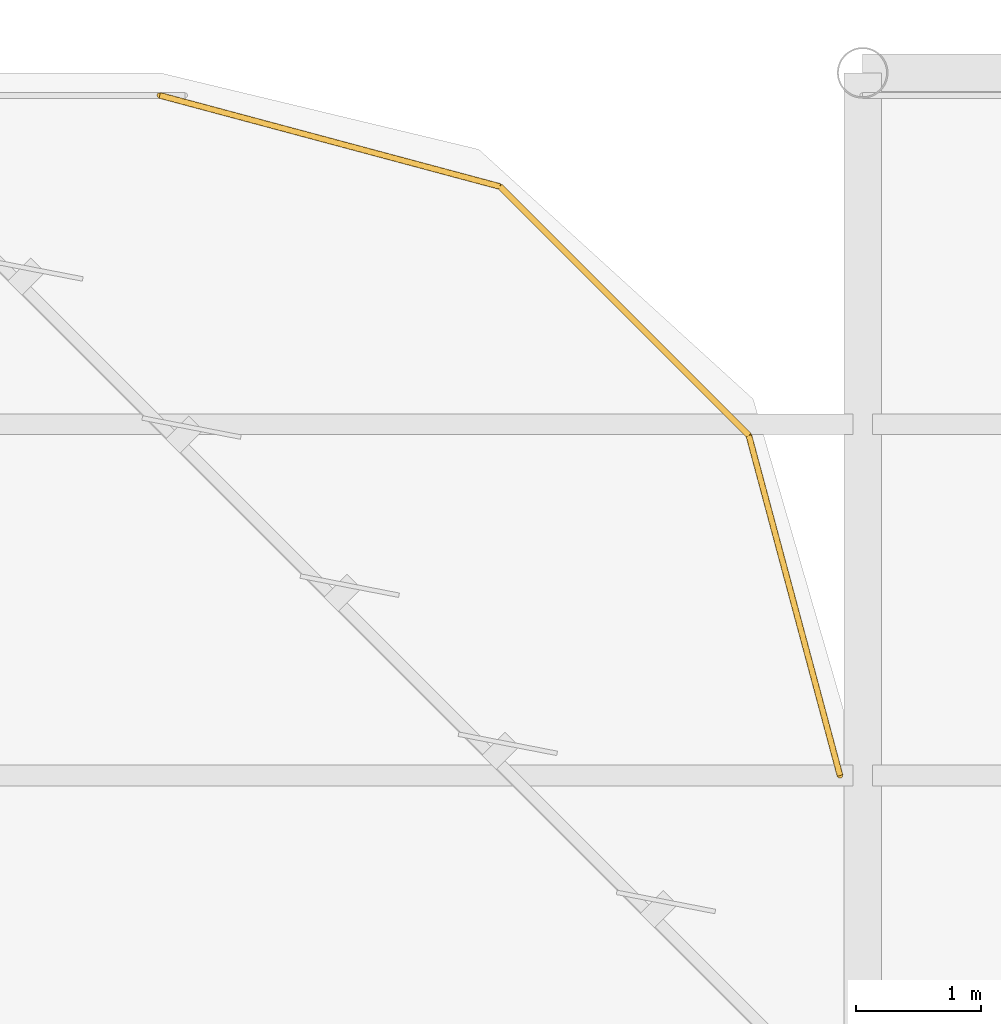
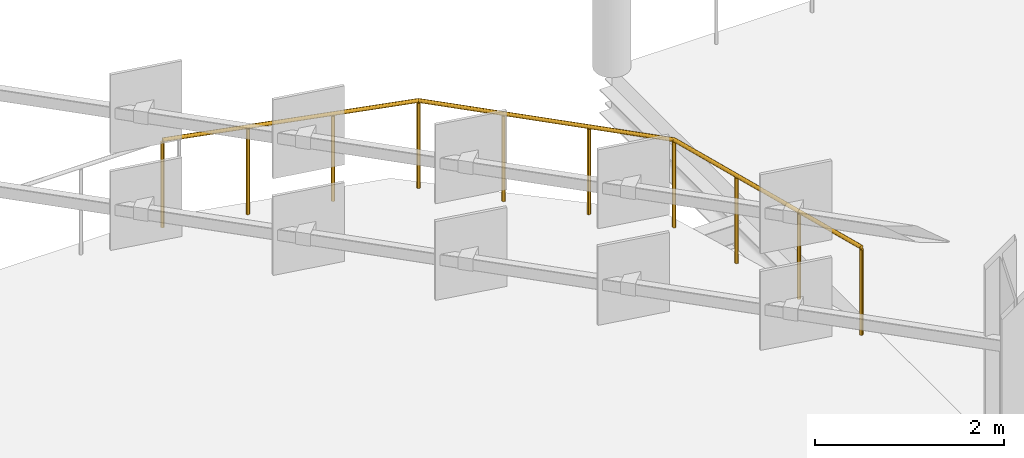
# One storey, part 163 of 163: 1 railing.
"""IFC4 building model written with IfcOpenShell, lengths in metres."""

from ifc_helpers import new_model, si_unit, direction, frame, origin, origin_2d, place, context, subcontext, project, spatial, circle, extrude, material, type_object, element, save


model = new_model("IFC4")

# Units and contexts
model_context = context("Model", 3, precision=1e-05, world=origin(), true_north=direction((0.0, 1.0)))
body_context = subcontext(model_context, "Body", "Model", "MODEL_VIEW")
ifc_project = project(units=[si_unit("LENGTHUNIT", "METRE"), si_unit("AREAUNIT", "SQUARE_METRE"), si_unit("VOLUMEUNIT", "CUBIC_METRE"), si_unit("PLANEANGLEUNIT", "RADIAN"), si_unit("MASSUNIT", "GRAM", prefix="KILO")], contexts=[model_context])

# Site, building, storey
site_placement = place(None, origin())
site = spatial("IfcSite", under=ifc_project, at=site_placement, CompositionType="ELEMENT")
building_placement = place(site_placement, origin())
building = spatial("IfcBuilding", under=site, at=building_placement, Name="Qalvenar Corner Mobility Hub", CompositionType="ELEMENT")
storey_placement = place(building_placement, frame((0.0, 0.0, 4.800048828125)))
storey = spatial("IfcBuildingStorey", under=building, at=storey_placement, Name="L01", CompositionType="ELEMENT", Elevation=4.800048828125)

# Railing
ifc_material = material(Name="Galvanised Steel Deck Edge Barrier", Category="steel")
railing_type = type_object("IfcRailingType", Name="RL-GUARD-115", PredefinedType="GUARDRAIL", material=ifc_material)
railing_placement = place(storey_placement, frame((142.6201171875, 112.0, 0.0)))
element("IfcRailing", 1, at=railing_placement, inside=storey, type_object=railing_type, Name="Rounded Corner Barrier L01-NE", PredefinedType="GUARDRAIL", context=body_context, shape_type="SweptSolid", body=[
    extrude(circle(Radius=0.02392578125, at=origin_2d()), frame((0.0, 0.0, 1.1259765625), z_axis=(-0.25888107057, 0.965909204481, 0.0), x_axis=(-0.965909204481, -0.25888107057, 0.0)), (0.0, 0.0, 1.0), 2.8056640625),
    extrude(circle(Radius=0.02392578125, at=origin_2d()), frame((-0.726318359375, 2.7099609375, 1.1259765625), z_axis=(-0.707106781187, 0.707106781187, 0.0), x_axis=(-0.707106781187, -0.707106781187, 0.0)), (0.0, 0.0, 1.0), 2.8056640625),
    extrude(circle(Radius=0.02392578125, at=origin_2d()), frame((-2.710205078125, 4.69384765625, 1.1259765625), z_axis=(-0.965930961109, 0.258799880931, 0.0), x_axis=(-0.258799880931, -0.965930961109, 0.0)), (0.0, 0.0, 1.0), 2.8056640625),
    extrude(circle(Radius=0.02099609375, at=origin_2d()), origin(), (0.0, 0.0, 1.0), 1.101806640625),
    extrude(circle(Radius=0.02099609375, at=origin_2d()), frame((-0.2421875, 0.9033203125, 0.0)), (0.0, 0.0, 1.0), 1.101806640625),
    extrude(circle(Radius=0.02099609375, at=origin_2d()), frame((-0.484130859375, 1.806640625, 0.0)), (0.0, 0.0, 1.0), 1.101806640625),
    extrude(circle(Radius=0.02099609375, at=origin_2d()), frame((-0.726318359375, 2.7099609375, 0.0)), (0.0, 0.0, 1.0), 1.101806640625),
    extrude(circle(Radius=0.02099609375, at=origin_2d()), frame((-1.3876953125, 3.371337890625, 0.0)), (0.0, 0.0, 1.0), 1.101806640625),
    extrude(circle(Radius=0.02099609375, at=origin_2d()), frame((-2.048828125, 4.032470703125, 0.0)), (0.0, 0.0, 1.0), 1.101806640625),
    extrude(circle(Radius=0.02099609375, at=origin_2d()), frame((-2.710205078125, 4.69384765625, 0.0)), (0.0, 0.0, 1.0), 1.101806640625),
    extrude(circle(Radius=0.02099609375, at=origin_2d()), frame((-3.613525390625, 4.935791015625, 0.0)), (0.0, 0.0, 1.0), 1.101806640625),
    extrude(circle(Radius=0.02099609375, at=origin_2d()), frame((-4.516845703125, 5.177978515625, 0.0)), (0.0, 0.0, 1.0), 1.101806640625),
    extrude(circle(Radius=0.02099609375, at=origin_2d()), frame((-5.420166015625, 5.419921875, 0.0)), (0.0, 0.0, 1.0), 1.101806640625),
])

save(model, "model.ifc")
